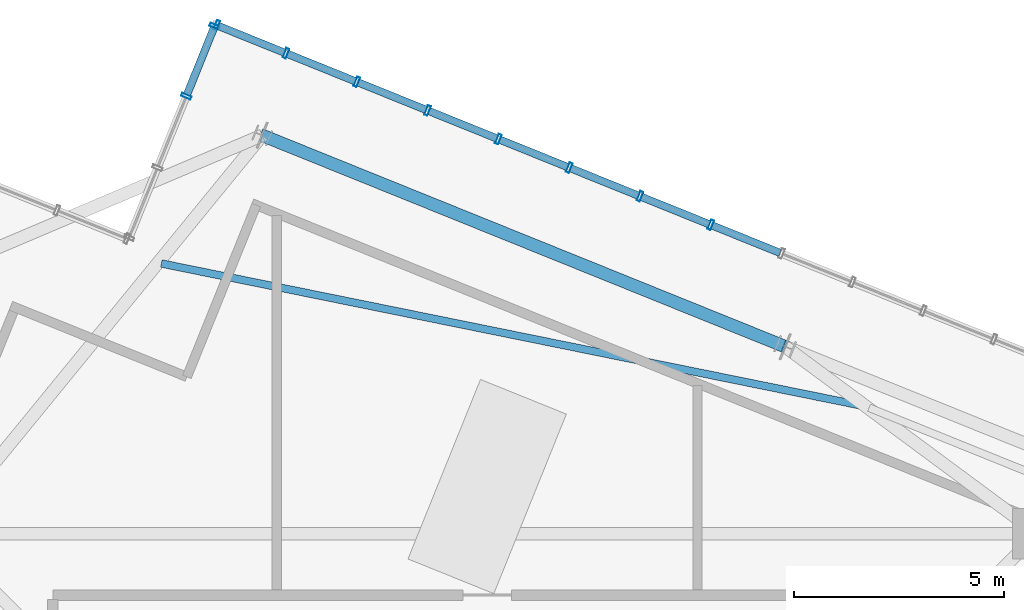
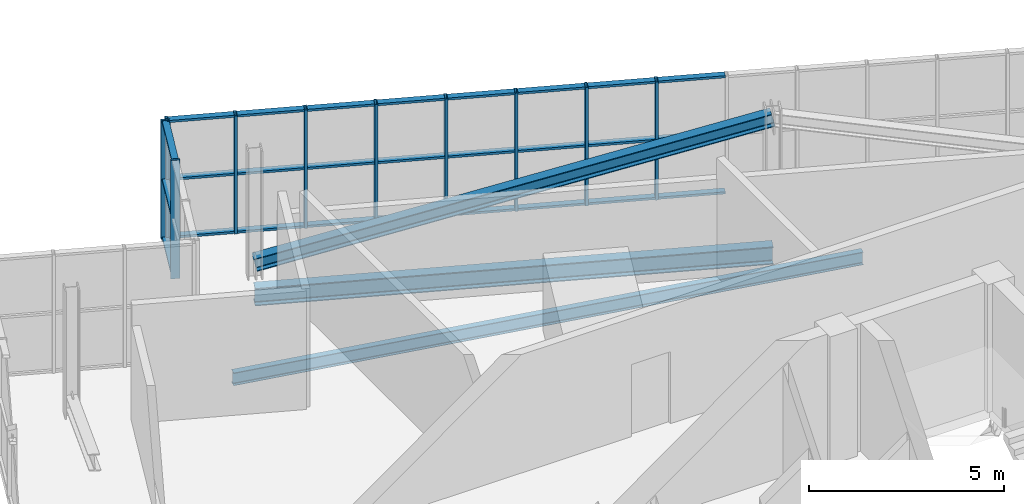
# One storey, part 15 of 26: 38 members, 2 beams, 2 elements without a shape of their own.
"""IFC4 building model written with IfcOpenShell, lengths in metres."""

from ifc_helpers import new_model, si_unit, direction, frame, origin, origin_2d, place, context, subcontext, project, spatial, hollow_rectangle, i_section, extrude, source, transform, mapped, material, layer, layer_set, material_profile, profile_set, type_object, element, aggregate, save


model = new_model("IFC4")

# Units and contexts
model_context = context("Model", 3, precision=1e-05, world=origin(), true_north=direction((0.0, 1.0)))
body_context = subcontext(model_context, "Body", "Model", "MODEL_VIEW")
ifc_project = project(units=[si_unit("LENGTHUNIT", "METRE"), si_unit("AREAUNIT", "SQUARE_METRE"), si_unit("VOLUMEUNIT", "CUBIC_METRE"), si_unit("PLANEANGLEUNIT", "RADIAN"), si_unit("MASSUNIT", "GRAM", prefix="KILO"), si_unit("THERMODYNAMICTEMPERATUREUNIT", "KELVIN")], contexts=[model_context])

# Site, building, storey
site_placement = place(None, origin())
site = spatial("IfcSite", under=ifc_project, at=site_placement, CompositionType="ELEMENT")
building_placement = place(site_placement, origin())
building = spatial("IfcBuilding", under=site, at=building_placement, Name="Kosmvard Interchange Tower", CompositionType="ELEMENT")
storey_placement = place(building_placement, frame((0.0, 0.0, 329.60009765625)))
storey = spatial("IfcBuildingStorey", under=building, at=storey_placement, Name="L81", CompositionType="ELEMENT", Elevation=329.60009765625)

# Member
ifc_material_1 = material(Name="Steel S355", Category="steel")
ifc_material_profile_1 = material_profile(ifc_material_1, i_section(OverallWidth=0.300048828125, OverallDepth=0.39990234375, WebThickness=0.013427734375, FlangeThickness=0.02392578125, FilletRadius=0.027099609375, at=origin_2d()), Name="HEB 400")
ifc_profile_set_1 = profile_set([ifc_material_profile_1], Name="Steel S355")
member_type_1 = type_object("IfcMemberType", Name="Lantern Crown Diagrid Brace HEB 400 S355", PredefinedType="BRACE", material=ifc_profile_set_1)
shared_shape_1 = source(origin(), body_context, "Body", "SweptSolid", [
    extrude(i_section(OverallWidth=0.300048828125, OverallDepth=0.39990234375, WebThickness=0.013427734375, FlangeThickness=0.02392578125, FilletRadius=0.027099609375, at=origin_2d()), origin(), (0.0, 0.0, 1.0), 13.783935546875),
])
member_1_placement = place(storey_placement, frame((-5.34423828125, 22.54345703125, 0.419921875), z_axis=(0.901367558742, -0.364177999122, 0.234330768366), x_axis=(0.374608243744, 0.927183187789, 0.0)))
element("IfcMember", 1, at=member_1_placement, inside=storey, type_object=member_type_1, Name="L81 Crown Lantern Diagrid Brace E2", PredefinedType="BRACE", context=body_context, shape_type="MappedRepresentation", body=[
    mapped(shared_shape_1, transform((0.0, 0.0, 0.0), scale=1.0)),
])

# Beams
ifc_material_profile_2 = material_profile(ifc_material_1, i_section(OverallWidth=0.300048828125, OverallDepth=0.550048828125, WebThickness=0.014892578125, FlangeThickness=0.029052734375, FilletRadius=0.027099609375, at=origin_2d()), Name="HEB 550")
ifc_profile_set_2 = profile_set([ifc_material_profile_2], Name="Steel S355")
beam_type_1 = type_object("IfcBeamType", Name="Crown Ring Cap Girder HEB 550 S355", PredefinedType="BEAM", material=ifc_profile_set_2)
shared_shape_2 = source(origin(), body_context, "Body", "SweptSolid", [
    extrude(i_section(OverallWidth=0.300048828125, OverallDepth=0.550048828125, WebThickness=0.014892578125, FlangeThickness=0.029052734375, FilletRadius=0.027099609375, at=origin_2d()), origin(), (0.0, 0.0, 1.0), 13.400146484375),
])
beam_1_placement = place(storey_placement, frame((7.080078125, 17.523681640625, -0.5751953125), z_axis=(-0.927183187789, 0.374608243744, 0.0), x_axis=(-0.374608243744, -0.927183187789, 0.0)))
element("IfcBeam", 2, at=beam_1_placement, inside=storey, type_object=beam_type_1, Name="BM-L81-PR05", PredefinedType="BEAM", context=body_context, shape_type="MappedRepresentation", body=[
    mapped(shared_shape_2, transform((0.0, 0.0, 0.0), scale=1.0)),
])
ifc_material_profile_3 = material_profile(ifc_material_1, i_section(OverallWidth=0.179931640625, OverallDepth=0.39990234375, WebThickness=0.008544921875, FlangeThickness=0.013427734375, FilletRadius=0.02099609375, at=origin_2d()), Name="IPE 400")
ifc_profile_set_3 = profile_set([ifc_material_profile_3], Name="Steel S355")
beam_type_2 = type_object("IfcBeamType", Name="Upper-Zone Floor Joist IPE 400 S355", PredefinedType="JOIST", material=ifc_profile_set_3)
shared_shape_3 = source(origin(), body_context, "Body", "SweptSolid", [
    extrude(i_section(OverallWidth=0.179931640625, OverallDepth=0.39990234375, WebThickness=0.008544921875, FlangeThickness=0.013427734375, FilletRadius=0.02099609375, at=origin_2d()), origin(), (0.0, 0.0, 1.0), 17.0029296875),
])
beam_2_placement = place(storey_placement, frame((8.921875, 16.117919921875, -0.5), z_axis=(-0.98002341059, 0.198882162837, 0.0), x_axis=(-0.198882162837, -0.98002341059, 0.0)))
element("IfcBeam", 3, at=beam_2_placement, inside=storey, type_object=beam_type_2, Name="BM-L81-FJ04", PredefinedType="JOIST", context=body_context, shape_type="MappedRepresentation", body=[
    mapped(shared_shape_3, transform((0.0, 0.0, 0.0), scale=1.0)),
])

# Curtain wall, members
ifc_material_2 = material(Name="Architectural anodised aluminium", Category="aluminium")
ifc_layer = layer(ifc_material_2, 0.25, Name="Architectural anodised aluminium")
ifc_layer_set = layer_set([ifc_layer], Name="Architectural anodised aluminium")
curtain_wall_type = type_object("IfcCurtainWallType", Name="CW-6 Illuminated Crown Lantern Curtain Wall", PredefinedType="NOTDEFINED", material=ifc_layer_set)
curtain_wall_1_placement = place(storey_placement, origin())
curtain_wall_1 = element("IfcCurtainWall", 4, at=curtain_wall_1_placement, inside=storey, type_object=curtain_wall_type, Name="L81 Crown Lantern Glazing Face 04", PredefinedType="NOTDEFINED")
ifc_material_profile_4 = material_profile(ifc_material_2, hollow_rectangle(XDim=0.239990234375, YDim=0.080078125, WallThickness=0.006103515625, at=origin_2d()), Name="CWM 240x80x6")
ifc_profile_set_4 = profile_set([ifc_material_profile_4], Name="Architectural anodised aluminium")
member_type_2 = type_object("IfcMemberType", Name="Lantern & Observation CW Mullion 240x80 Aluminium", PredefinedType="MULLION", material=ifc_profile_set_4)
shared_shape_4 = source(origin(), body_context, "Body", "SweptSolid", [
    extrude(hollow_rectangle(XDim=0.239990234375, YDim=0.080078125, WallThickness=0.006103515625, at=origin_2d()), origin(), (0.0, 0.0, 1.0), 3.699951171875),
])
member_2_placement = place(storey_placement, frame((5.313720703125, 20.416015625, 0.0), z_axis=(0.0, 0.0, 1.0), x_axis=(-0.374606584758, -0.927183858065, 0.0)))
member_2 = element("IfcMember", 5, at=member_2_placement, type_object=member_type_2, Name="CW-6 mullion 11", PredefinedType="MULLION", context=body_context, shape_type="MappedRepresentation", body=[
    mapped(shared_shape_4, transform((0.0, 0.0, 0.0), scale=1.0)),
])
member_3_placement = place(storey_placement, frame((3.6318359375, 21.095703125, 0.0), z_axis=(0.0, 0.0, 1.0), x_axis=(-0.374606584758, -0.927183858065, 0.0)))
member_3 = element("IfcMember", 6, at=member_3_placement, type_object=member_type_2, Name="CW-6 mullion 12", PredefinedType="MULLION", context=body_context, shape_type="MappedRepresentation", body=[
    mapped(shared_shape_4, transform((0.0, 0.0, 0.0), scale=1.0)),
])
member_4_placement = place(storey_placement, frame((1.94970703125, 21.775146484375, 0.0), z_axis=(0.0, 0.0, 1.0), x_axis=(-0.374606584758, -0.927183858065, 0.0)))
member_4 = element("IfcMember", 7, at=member_4_placement, type_object=member_type_2, Name="CW-6 mullion 13", PredefinedType="MULLION", context=body_context, shape_type="MappedRepresentation", body=[
    mapped(shared_shape_4, transform((0.0, 0.0, 0.0), scale=1.0)),
])
member_5_placement = place(storey_placement, frame((0.267578125, 22.454833984375, 0.0), z_axis=(0.0, 0.0, 1.0), x_axis=(-0.374606584758, -0.927183858065, 0.0)))
member_5 = element("IfcMember", 8, at=member_5_placement, type_object=member_type_2, Name="CW-6 mullion 14", PredefinedType="MULLION", context=body_context, shape_type="MappedRepresentation", body=[
    mapped(shared_shape_4, transform((0.0, 0.0, 0.0), scale=1.0)),
])
member_6_placement = place(storey_placement, frame((-1.414306640625, 23.13427734375, 0.0), z_axis=(0.0, 0.0, 1.0), x_axis=(-0.374606584758, -0.927183858065, 0.0)))
member_6 = element("IfcMember", 9, at=member_6_placement, type_object=member_type_2, Name="CW-6 mullion 15", PredefinedType="MULLION", context=body_context, shape_type="MappedRepresentation", body=[
    mapped(shared_shape_4, transform((0.0, 0.0, 0.0), scale=1.0)),
])
member_7_placement = place(storey_placement, frame((-3.096435546875, 23.81396484375, 0.0), z_axis=(0.0, 0.0, 1.0), x_axis=(-0.374606584758, -0.927183858065, 0.0)))
member_7 = element("IfcMember", 10, at=member_7_placement, type_object=member_type_2, Name="CW-6 mullion 16", PredefinedType="MULLION", context=body_context, shape_type="MappedRepresentation", body=[
    mapped(shared_shape_4, transform((0.0, 0.0, 0.0), scale=1.0)),
])
member_8_placement = place(storey_placement, frame((-4.7783203125, 24.49365234375, 0.0), z_axis=(0.0, 0.0, 1.0), x_axis=(-0.374606584758, -0.927183858065, 0.0)))
member_8 = element("IfcMember", 11, at=member_8_placement, type_object=member_type_2, Name="CW-6 mullion 17", PredefinedType="MULLION", context=body_context, shape_type="MappedRepresentation", body=[
    mapped(shared_shape_4, transform((0.0, 0.0, 0.0), scale=1.0)),
])
member_9_placement = place(storey_placement, frame((-6.42333984375, 25.158203125, 0.0), z_axis=(0.0, 0.0, 1.0), x_axis=(-0.374606584758, -0.927183858065, 0.0)))
member_9 = element("IfcMember", 12, at=member_9_placement, type_object=member_type_2, Name="CW-6 mullion 18", PredefinedType="MULLION", context=body_context, shape_type="MappedRepresentation", body=[
    mapped(shared_shape_4, transform((0.0, 0.0, 0.0), scale=1.0)),
])

curtain_wall_2_placement = place(storey_placement, origin())
curtain_wall_2 = element("IfcCurtainWall", 13, at=curtain_wall_2_placement, inside=storey, type_object=curtain_wall_type, Name="L81 Crown Lantern Glazing Face 05", PredefinedType="NOTDEFINED")
member_10_placement = place(storey_placement, frame((-6.475341796875, 25.135986328125, 0.0), z_axis=(0.0, 0.0, 1.0), x_axis=(0.92718386612, -0.374606564822, 0.0)))
member_10 = element("IfcMember", 14, at=member_10_placement, type_object=member_type_2, Name="CW-6 mullion 1", PredefinedType="MULLION", context=body_context, shape_type="MappedRepresentation", body=[
    mapped(shared_shape_4, transform((0.0, 0.0, 0.0), scale=1.0)),
])
member_11_placement = place(storey_placement, frame((-7.147216796875, 23.473388671875, 0.0), z_axis=(0.0, 0.0, 1.0), x_axis=(0.92718386612, -0.374606564822, 0.0)))
member_11 = element("IfcMember", 15, at=member_11_placement, type_object=member_type_2, Name="CW-6 mullion 2", PredefinedType="MULLION", context=body_context, shape_type="MappedRepresentation", body=[
    mapped(shared_shape_4, transform((0.0, 0.0, 0.0), scale=1.0)),
])

# Member
ifc_material_profile_5 = material_profile(ifc_material_2, hollow_rectangle(XDim=0.179931640625, YDim=0.070068359375, WallThickness=0.0048828125, at=origin_2d()), Name="CWT 180x70x5")
ifc_profile_set_5 = profile_set([ifc_material_profile_5], Name="Architectural anodised aluminium")
member_type_3 = type_object("IfcMemberType", Name="Heavy Lantern CW Transom 180x70 Aluminium", PredefinedType="USERDEFINED", material=ifc_profile_set_5)
shared_shape_5 = source(origin(), body_context, "Body", "SweptSolid", [
    extrude(hollow_rectangle(XDim=0.179931640625, YDim=0.070068359375, WallThickness=0.0048828125, at=origin_2d()), origin(), (0.0, 0.0, 1.0), 1.694091796875),
])
member_12_placement = place(storey_placement, frame((-4.8154296875, 24.508544921875, 0.034912109375), z_axis=(-0.927209116514, 0.374544061831, 0.0), x_axis=(-0.374544061831, -0.927209116514, 0.0)))
member_12 = element("IfcMember", 16, at=member_12_placement, type_object=member_type_3, Name="CW-6 transom 17.1", ObjectType="TRANSOM", PredefinedType="USERDEFINED", context=body_context, shape_type="MappedRepresentation", body=[
    mapped(shared_shape_5, transform((0.0, 0.0, 0.0), scale=1.0)),
])

member_13_placement = place(storey_placement, frame((-4.8154296875, 24.508544921875, 1.849853515625), z_axis=(-0.927209116514, 0.374544061831, 0.0), x_axis=(-0.374544061831, -0.927209116514, 0.0)))
member_13 = element("IfcMember", 17, at=member_13_placement, type_object=member_type_3, Name="CW-6 transom 17.2", ObjectType="TRANSOM", PredefinedType="USERDEFINED", context=body_context, shape_type="MappedRepresentation", body=[
    mapped(shared_shape_5, transform((0.0, 0.0, 0.0), scale=1.0)),
])

member_14_placement = place(storey_placement, frame((-4.8154296875, 24.508544921875, 3.664794921875), z_axis=(-0.927209116514, 0.374544061831, 0.0), x_axis=(-0.374544061831, -0.927209116514, 0.0)))
member_14 = element("IfcMember", 18, at=member_14_placement, type_object=member_type_3, Name="CW-6 transom 17.3", ObjectType="TRANSOM", PredefinedType="USERDEFINED", context=body_context, shape_type="MappedRepresentation", body=[
    mapped(shared_shape_5, transform((0.0, 0.0, 0.0), scale=1.0)),
])

shared_shape_6 = source(origin(), body_context, "Body", "SweptSolid", [
    extrude(hollow_rectangle(XDim=0.179931640625, YDim=0.070068359375, WallThickness=0.0048828125, at=origin_2d()), origin(), (0.0, 0.0, 1.0), 1.734130859375),
])
member_15_placement = place(storey_placement, frame((6.958740234375, 19.75146484375, 0.034912109375), z_axis=(-0.927179782522, 0.374616671924, 0.0), x_axis=(-0.374616671924, -0.927179782522, 0.0)))
member_15 = element("IfcMember", 19, at=member_15_placement, type_object=member_type_3, Name="CW-6 transom 10.1", ObjectType="TRANSOM", PredefinedType="USERDEFINED", context=body_context, shape_type="MappedRepresentation", body=[
    mapped(shared_shape_6, transform((0.0, 0.0, 0.0), scale=1.0)),
])

member_16_placement = place(storey_placement, frame((6.958740234375, 19.75146484375, 1.849853515625), z_axis=(-0.927179782522, 0.374616671924, 0.0), x_axis=(-0.374616671924, -0.927179782522, 0.0)))
member_16 = element("IfcMember", 20, at=member_16_placement, type_object=member_type_3, Name="CW-6 transom 10.2", ObjectType="TRANSOM", PredefinedType="USERDEFINED", context=body_context, shape_type="MappedRepresentation", body=[
    mapped(shared_shape_6, transform((0.0, 0.0, 0.0), scale=1.0)),
])

member_17_placement = place(storey_placement, frame((6.958740234375, 19.75146484375, 3.664794921875), z_axis=(-0.927179782522, 0.374616671924, 0.0), x_axis=(-0.374616671924, -0.927179782522, 0.0)))
member_17 = element("IfcMember", 21, at=member_17_placement, type_object=member_type_3, Name="CW-6 transom 10.3", ObjectType="TRANSOM", PredefinedType="USERDEFINED", context=body_context, shape_type="MappedRepresentation", body=[
    mapped(shared_shape_6, transform((0.0, 0.0, 0.0), scale=1.0)),
])

member_18_placement = place(storey_placement, frame((5.276611328125, 20.43115234375, 0.034912109375), z_axis=(-0.927228675447, 0.374495638732, 0.0), x_axis=(-0.374495638732, -0.927228675447, 0.0)))
member_18 = element("IfcMember", 22, at=member_18_placement, type_object=member_type_3, Name="CW-6 transom 11.1", ObjectType="TRANSOM", PredefinedType="USERDEFINED", context=body_context, shape_type="MappedRepresentation", body=[
    mapped(shared_shape_6, transform((0.0, 0.0, 0.0), scale=1.0)),
])

member_19_placement = place(storey_placement, frame((5.276611328125, 20.43115234375, 1.849853515625), z_axis=(-0.927228675447, 0.374495638732, 0.0), x_axis=(-0.374495638732, -0.927228675447, 0.0)))
member_19 = element("IfcMember", 23, at=member_19_placement, type_object=member_type_3, Name="CW-6 transom 11.2", ObjectType="TRANSOM", PredefinedType="USERDEFINED", context=body_context, shape_type="MappedRepresentation", body=[
    mapped(shared_shape_6, transform((0.0, 0.0, 0.0), scale=1.0)),
])

member_20_placement = place(storey_placement, frame((5.276611328125, 20.43115234375, 3.664794921875), z_axis=(-0.927228675447, 0.374495638732, 0.0), x_axis=(-0.374495638732, -0.927228675447, 0.0)))
member_20 = element("IfcMember", 24, at=member_20_placement, type_object=member_type_3, Name="CW-6 transom 11.3", ObjectType="TRANSOM", PredefinedType="USERDEFINED", context=body_context, shape_type="MappedRepresentation", body=[
    mapped(shared_shape_6, transform((0.0, 0.0, 0.0), scale=1.0)),
])

member_21_placement = place(storey_placement, frame((3.5947265625, 21.110595703125, 0.034912109375), z_axis=(-0.927179782522, 0.374616671924, 0.0), x_axis=(-0.374616671924, -0.927179782522, 0.0)))
member_21 = element("IfcMember", 25, at=member_21_placement, type_object=member_type_3, Name="CW-6 transom 12.1", ObjectType="TRANSOM", PredefinedType="USERDEFINED", context=body_context, shape_type="MappedRepresentation", body=[
    mapped(shared_shape_6, transform((0.0, 0.0, 0.0), scale=1.0)),
])

member_22_placement = place(storey_placement, frame((3.5947265625, 21.110595703125, 1.849853515625), z_axis=(-0.927179782522, 0.374616671924, 0.0), x_axis=(-0.374616671924, -0.927179782522, 0.0)))
member_22 = element("IfcMember", 26, at=member_22_placement, type_object=member_type_3, Name="CW-6 transom 12.2", ObjectType="TRANSOM", PredefinedType="USERDEFINED", context=body_context, shape_type="MappedRepresentation", body=[
    mapped(shared_shape_6, transform((0.0, 0.0, 0.0), scale=1.0)),
])

member_23_placement = place(storey_placement, frame((3.5947265625, 21.110595703125, 3.664794921875), z_axis=(-0.927179782522, 0.374616671924, 0.0), x_axis=(-0.374616671924, -0.927179782522, 0.0)))
member_23 = element("IfcMember", 27, at=member_23_placement, type_object=member_type_3, Name="CW-6 transom 12.3", ObjectType="TRANSOM", PredefinedType="USERDEFINED", context=body_context, shape_type="MappedRepresentation", body=[
    mapped(shared_shape_6, transform((0.0, 0.0, 0.0), scale=1.0)),
])

member_24_placement = place(storey_placement, frame((1.91259765625, 21.790283203125, 0.034912109375), z_axis=(-0.927228675447, 0.374495638732, 0.0), x_axis=(-0.374495638732, -0.927228675447, 0.0)))
member_24 = element("IfcMember", 28, at=member_24_placement, type_object=member_type_3, Name="CW-6 transom 13.1", ObjectType="TRANSOM", PredefinedType="USERDEFINED", context=body_context, shape_type="MappedRepresentation", body=[
    mapped(shared_shape_6, transform((0.0, 0.0, 0.0), scale=1.0)),
])

member_25_placement = place(storey_placement, frame((1.91259765625, 21.790283203125, 1.849853515625), z_axis=(-0.927228675447, 0.374495638732, 0.0), x_axis=(-0.374495638732, -0.927228675447, 0.0)))
member_25 = element("IfcMember", 29, at=member_25_placement, type_object=member_type_3, Name="CW-6 transom 13.2", ObjectType="TRANSOM", PredefinedType="USERDEFINED", context=body_context, shape_type="MappedRepresentation", body=[
    mapped(shared_shape_6, transform((0.0, 0.0, 0.0), scale=1.0)),
])

member_26_placement = place(storey_placement, frame((1.91259765625, 21.790283203125, 3.664794921875), z_axis=(-0.927228675447, 0.374495638732, 0.0), x_axis=(-0.374495638732, -0.927228675447, 0.0)))
member_26 = element("IfcMember", 30, at=member_26_placement, type_object=member_type_3, Name="CW-6 transom 13.3", ObjectType="TRANSOM", PredefinedType="USERDEFINED", context=body_context, shape_type="MappedRepresentation", body=[
    mapped(shared_shape_6, transform((0.0, 0.0, 0.0), scale=1.0)),
])

member_27_placement = place(storey_placement, frame((-1.451416015625, 23.1494140625, 0.034912109375), z_axis=(-0.927179782522, 0.374616671924, 0.0), x_axis=(-0.374616671924, -0.927179782522, 0.0)))
member_27 = element("IfcMember", 31, at=member_27_placement, type_object=member_type_3, Name="CW-6 transom 15.1", ObjectType="TRANSOM", PredefinedType="USERDEFINED", context=body_context, shape_type="MappedRepresentation", body=[
    mapped(shared_shape_6, transform((0.0, 0.0, 0.0), scale=1.0)),
])

member_28_placement = place(storey_placement, frame((-1.451416015625, 23.1494140625, 1.849853515625), z_axis=(-0.927179782522, 0.374616671924, 0.0), x_axis=(-0.374616671924, -0.927179782522, 0.0)))
member_28 = element("IfcMember", 32, at=member_28_placement, type_object=member_type_3, Name="CW-6 transom 15.2", ObjectType="TRANSOM", PredefinedType="USERDEFINED", context=body_context, shape_type="MappedRepresentation", body=[
    mapped(shared_shape_6, transform((0.0, 0.0, 0.0), scale=1.0)),
])

member_29_placement = place(storey_placement, frame((-1.451416015625, 23.1494140625, 3.664794921875), z_axis=(-0.927179782522, 0.374616671924, 0.0), x_axis=(-0.374616671924, -0.927179782522, 0.0)))
member_29 = element("IfcMember", 33, at=member_29_placement, type_object=member_type_3, Name="CW-6 transom 15.3", ObjectType="TRANSOM", PredefinedType="USERDEFINED", context=body_context, shape_type="MappedRepresentation", body=[
    mapped(shared_shape_6, transform((0.0, 0.0, 0.0), scale=1.0)),
])

shared_shape_7 = source(origin(), body_context, "Body", "SweptSolid", [
    extrude(hollow_rectangle(XDim=0.179931640625, YDim=0.070068359375, WallThickness=0.0048828125, at=origin_2d()), origin(), (0.0, 0.0, 1.0), 1.73388671875),
])
member_30_placement = place(storey_placement, frame((0.23046875, 22.4697265625, 0.034912109375), z_axis=(-0.927160021861, 0.374665576032, 0.0), x_axis=(-0.374665576032, -0.927160021861, 0.0)))
member_30 = element("IfcMember", 34, at=member_30_placement, type_object=member_type_3, Name="CW-6 transom 14.1", ObjectType="TRANSOM", PredefinedType="USERDEFINED", context=body_context, shape_type="MappedRepresentation", body=[
    mapped(shared_shape_7, transform((0.0, 0.0, 0.0), scale=1.0)),
])

member_31_placement = place(storey_placement, frame((0.23046875, 22.4697265625, 1.849853515625), z_axis=(-0.927160021861, 0.374665576032, 0.0), x_axis=(-0.374665576032, -0.927160021861, 0.0)))
member_31 = element("IfcMember", 35, at=member_31_placement, type_object=member_type_3, Name="CW-6 transom 14.2", ObjectType="TRANSOM", PredefinedType="USERDEFINED", context=body_context, shape_type="MappedRepresentation", body=[
    mapped(shared_shape_7, transform((0.0, 0.0, 0.0), scale=1.0)),
])

member_32_placement = place(storey_placement, frame((0.23046875, 22.4697265625, 3.664794921875), z_axis=(-0.927160021861, 0.374665576032, 0.0), x_axis=(-0.374665576032, -0.927160021861, 0.0)))
member_32 = element("IfcMember", 36, at=member_32_placement, type_object=member_type_3, Name="CW-6 transom 14.3", ObjectType="TRANSOM", PredefinedType="USERDEFINED", context=body_context, shape_type="MappedRepresentation", body=[
    mapped(shared_shape_7, transform((0.0, 0.0, 0.0), scale=1.0)),
])

member_33_placement = place(storey_placement, frame((-3.133544921875, 23.828857421875, 0.034912109375), z_axis=(-0.927160021861, 0.374665576032, 0.0), x_axis=(-0.374665576032, -0.927160021861, 0.0)))
member_33 = element("IfcMember", 37, at=member_33_placement, type_object=member_type_3, Name="CW-6 transom 16.1", ObjectType="TRANSOM", PredefinedType="USERDEFINED", context=body_context, shape_type="MappedRepresentation", body=[
    mapped(shared_shape_7, transform((0.0, 0.0, 0.0), scale=1.0)),
])

member_34_placement = place(storey_placement, frame((-3.133544921875, 23.828857421875, 1.849853515625), z_axis=(-0.927160021861, 0.374665576032, 0.0), x_axis=(-0.374665576032, -0.927160021861, 0.0)))
member_34 = element("IfcMember", 38, at=member_34_placement, type_object=member_type_3, Name="CW-6 transom 16.2", ObjectType="TRANSOM", PredefinedType="USERDEFINED", context=body_context, shape_type="MappedRepresentation", body=[
    mapped(shared_shape_7, transform((0.0, 0.0, 0.0), scale=1.0)),
])

member_35_placement = place(storey_placement, frame((-3.133544921875, 23.828857421875, 3.664794921875), z_axis=(-0.927160021861, 0.374665576032, 0.0), x_axis=(-0.374665576032, -0.927160021861, 0.0)))
member_35 = element("IfcMember", 39, at=member_35_placement, type_object=member_type_3, Name="CW-6 transom 16.3", ObjectType="TRANSOM", PredefinedType="USERDEFINED", context=body_context, shape_type="MappedRepresentation", body=[
    mapped(shared_shape_7, transform((0.0, 0.0, 0.0), scale=1.0)),
])

aggregate(curtain_wall_1, [member_2, member_3, member_4, member_5, member_6, member_7, member_8, member_9, member_15, member_16, member_17, member_18, member_19, member_20, member_21, member_22, member_23, member_24, member_25, member_26, member_30, member_31, member_32, member_27, member_28, member_29, member_33, member_34, member_35, member_12, member_13, member_14])

shared_shape_8 = source(origin(), body_context, "Body", "SweptSolid", [
    extrude(hollow_rectangle(XDim=0.179931640625, YDim=0.070068359375, WallThickness=0.0048828125, at=origin_2d()), origin(), (0.0, 0.0, 1.0), 1.71337890625),
])
member_36_placement = place(storey_placement, frame((-6.490478515625, 25.098876953125, 0.034912109375), z_axis=(-0.374484254265, -0.927233273404, 0.0), x_axis=(0.927233273404, -0.374484254265, 0.0)))
member_36 = element("IfcMember", 40, at=member_36_placement, type_object=member_type_3, Name="CW-6 transom 1.1", ObjectType="TRANSOM", PredefinedType="USERDEFINED", context=body_context, shape_type="MappedRepresentation", body=[
    mapped(shared_shape_8, transform((0.0, 0.0, 0.0), scale=1.0)),
])

member_37_placement = place(storey_placement, frame((-6.490478515625, 25.098876953125, 1.849853515625), z_axis=(-0.374484254265, -0.927233273404, 0.0), x_axis=(0.927233273404, -0.374484254265, 0.0)))
member_37 = element("IfcMember", 41, at=member_37_placement, type_object=member_type_3, Name="CW-6 transom 1.2", ObjectType="TRANSOM", PredefinedType="USERDEFINED", context=body_context, shape_type="MappedRepresentation", body=[
    mapped(shared_shape_8, transform((0.0, 0.0, 0.0), scale=1.0)),
])

member_38_placement = place(storey_placement, frame((-6.490478515625, 25.098876953125, 3.664794921875), z_axis=(-0.374484254265, -0.927233273404, 0.0), x_axis=(0.927233273404, -0.374484254265, 0.0)))
member_38 = element("IfcMember", 42, at=member_38_placement, type_object=member_type_3, Name="CW-6 transom 1.3", ObjectType="TRANSOM", PredefinedType="USERDEFINED", context=body_context, shape_type="MappedRepresentation", body=[
    mapped(shared_shape_8, transform((0.0, 0.0, 0.0), scale=1.0)),
])

aggregate(curtain_wall_2, [member_10, member_11, member_36, member_37, member_38])

save(model, "model.ifc")
